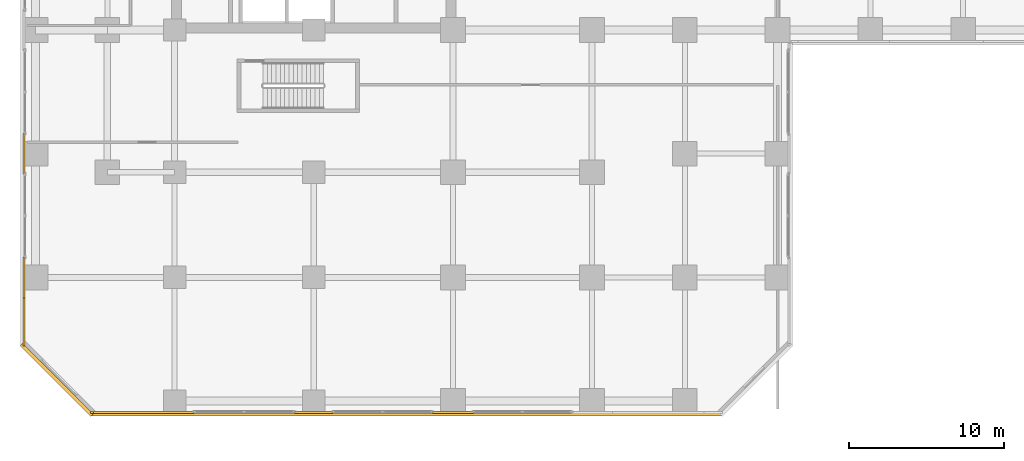
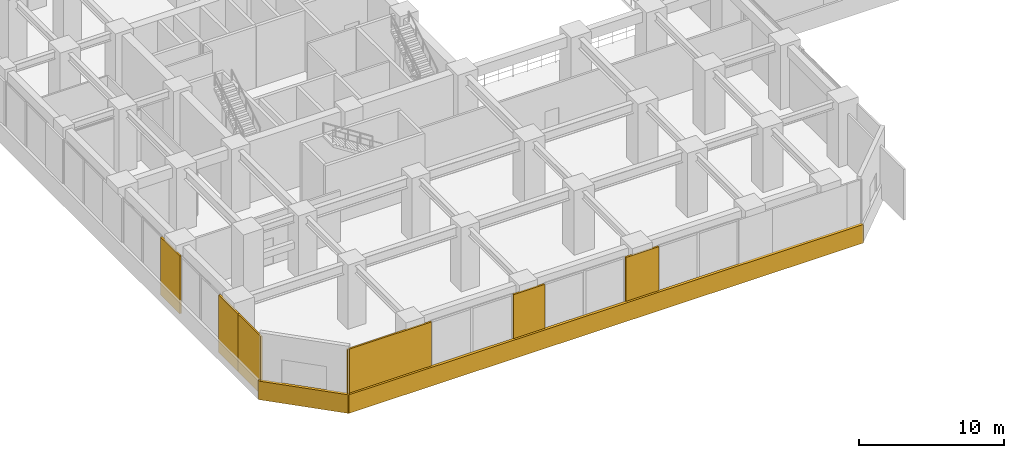
# One storey, part 27 of 33: 9 coverings.
"""IFC4 building model written with IfcOpenShell, lengths in metres."""

from ifc_helpers import new_model, si_unit, direction, frame, origin, origin_2d, place, context, subcontext, project, spatial, rectangle, extrude, source, transform, mapped, material, layer, layer_set, type_object, element, save


model = new_model("IFC4")

# Units and contexts
model_context = context("Model", 3, precision=1e-05, world=origin(), true_north=direction((0.0, 1.0)))
body_context = subcontext(model_context, "Body", "Model", "MODEL_VIEW")
ifc_project = project(units=[si_unit("LENGTHUNIT", "METRE"), si_unit("AREAUNIT", "SQUARE_METRE"), si_unit("VOLUMEUNIT", "CUBIC_METRE"), si_unit("PLANEANGLEUNIT", "RADIAN"), si_unit("MASSUNIT", "GRAM", prefix="KILO")], contexts=[model_context])

# Site, building, storey
site_placement = place(None, origin())
site = spatial("IfcSite", under=ifc_project, at=site_placement, CompositionType="ELEMENT")
building_placement = place(site_placement, origin())
building = spatial("IfcBuilding", under=site, at=building_placement, Name="Torre Montelarca", CompositionType="ELEMENT")
storey_placement = place(building_placement, frame((0.0, 0.0, 12.0)))
storey = spatial("IfcBuildingStorey", under=building, at=storey_placement, Name="L03", CompositionType="ELEMENT", Elevation=12.0)

# Coverings
ifc_material = material(Name="Bush-hammered warm white precast concrete C45/55", Category="concrete")
ifc_layer = layer(ifc_material, 0.139892578125, Name="Bush-hammered warm white precast concrete C45/55", Category="concrete")
ifc_layer_set = layer_set([ifc_layer], Name="Bush-hammered warm white precast concrete C45/55")
covering_type = type_object("IfcCoveringType", Name="COV-TRAY-CLAD", PredefinedType="CLADDING", material=ifc_layer_set)
shared_shape_1 = source(origin(), body_context, "Body", "SweptSolid", [
    extrude(rectangle(XDim=40.919921875, YDim=0.219970703125, at=origin_2d()), origin(), (0.0, 0.0, 1.0), 1.56005859375),
])
covering_1_placement = place(storey_placement, frame((24.0, -0.8701171875, -0.400146484375), z_axis=(0.0, 0.0, 1.0), x_axis=(1.0, 0.0, 0.0)))
element("IfcCovering", 1, at=covering_1_placement, inside=storey, type_object=covering_type, Name="L03 Architectural White Spandrel Tray Band PODBOT-01", PredefinedType="CLADDING", context=body_context, shape_type="MappedRepresentation", body=[
    mapped(shared_shape_1, transform((0.0, 0.0, 0.0), scale=1.0)),
])
shared_shape_2 = source(origin(), body_context, "Body", "SweptSolid", [
    extrude(rectangle(XDim=6.48388671875, YDim=0.219970703125, at=origin_2d()), origin(), (0.0, 0.0, 1.0), 1.56005859375),
])
covering_2_placement = place(storey_placement, frame((1.37109375, 1.37109375, -0.400146484375), z_axis=(0.0, 0.0, 1.0), x_axis=(0.707106781187, -0.707106781187, 0.0)))
element("IfcCovering", 2, at=covering_2_placement, inside=storey, type_object=covering_type, Name="L03 Architectural White Spandrel Tray Band PODBOT-11", PredefinedType="CLADDING", context=body_context, shape_type="MappedRepresentation", body=[
    mapped(shared_shape_2, transform((0.0, 0.0, 0.0), scale=1.0)),
])
shared_shape_3 = source(origin(), body_context, "Body", "SweptSolid", [
    extrude(rectangle(XDim=0.179931640625, YDim=0.139892578125, at=origin_2d()), origin(), (0.0, 0.0, 1.0), 4.85009765625),
])
covering_3_placement = place(storey_placement, frame((3.64990234375, -0.739990234375, 0.0), z_axis=(0.0, 0.0, 1.0), x_axis=(1.0, 0.0, 0.0)))
element("IfcCovering", 3, at=covering_3_placement, inside=storey, type_object=covering_type, Name="L03 Architectural Column Pier Cladding E01-1", PredefinedType="CLADDING", context=body_context, shape_type="MappedRepresentation", body=[
    mapped(shared_shape_3, transform((0.0, 0.0, 0.0), scale=1.0)),
])
shared_shape_4 = source(origin(), body_context, "Body", "SweptSolid", [
    extrude(rectangle(XDim=6.5849609375, YDim=0.139892578125, at=origin_2d()), origin(), (0.0, 0.0, 1.0), 4.85009765625),
])
covering_4_placement = place(storey_placement, frame((6.952392578125, -0.739990234375, 0.0), z_axis=(0.0, 0.0, 1.0), x_axis=(1.0, 0.0, 0.0)))
element("IfcCovering", 4, at=covering_4_placement, inside=storey, type_object=covering_type, Name="L03 Architectural Column Pier Cladding E01-2", PredefinedType="CLADDING", context=body_context, shape_type="MappedRepresentation", body=[
    mapped(shared_shape_4, transform((0.0, 0.0, 0.0), scale=1.0)),
])
shared_shape_5 = source(origin(), body_context, "Body", "SweptSolid", [
    extrude(rectangle(XDim=2.489990234375, YDim=0.139892578125, at=origin_2d()), origin(), (0.0, 0.0, 1.0), 4.85009765625),
])
covering_5_placement = place(storey_placement, frame((18.0, -0.739990234375, 0.0), z_axis=(0.0, 0.0, 1.0), x_axis=(1.0, 0.0, 0.0)))
element("IfcCovering", 5, at=covering_5_placement, inside=storey, type_object=covering_type, Name="L03 Architectural Column Pier Cladding E01-3", PredefinedType="CLADDING", context=body_context, shape_type="MappedRepresentation", body=[
    mapped(shared_shape_5, transform((0.0, 0.0, 0.0), scale=1.0)),
])
shared_shape_6 = source(origin(), body_context, "Body", "SweptSolid", [
    extrude(rectangle(XDim=2.639892578125, YDim=0.139892578125, at=origin_2d()), origin(), (0.0, 0.0, 1.0), 4.85009765625),
])
for number, where, z_axis, x_axis, name in (
    (6, (27.0, -0.739990234375, 0.0), (0.0, 0.0, 1.0), (1.0, 0.0, 0.0), "L03 Architectural Column Pier Cladding E01-4"),
    (7, (-0.739990234375, 16.0, 0.0), (0.0, 0.0, 1.0), (0.0, -1.0, 0.0), "L03 Architectural Column Pier Cladding E10-6"),
    (8, (-0.739990234375, 8.0, 0.0), (0.0, 0.0, 1.0), (0.0, -1.0, 0.0), "L03 Architectural Column Pier Cladding E10-7"),
):
    element("IfcCovering", number, at=place(storey_placement, frame(where, z_axis=z_axis, x_axis=x_axis)), inside=storey, type_object=covering_type, Name=name, PredefinedType="CLADDING", context=body_context, shape_type="MappedRepresentation", body=[
        mapped(shared_shape_6, transform((0.0, 0.0, 0.0), scale=1.0)),
    ])
shared_shape_7 = source(origin(), body_context, "Body", "SweptSolid", [
    extrude(rectangle(XDim=3.199951171875, YDim=0.139892578125, at=origin_2d()), origin(), (0.0, 0.0, 1.0), 4.85009765625),
])
covering_6_placement = place(storey_placement, frame((-0.739990234375, 5.159912109375, 0.0), z_axis=(0.0, 0.0, 1.0), x_axis=(0.0, -1.0, 0.0)))
element("IfcCovering", 9, at=covering_6_placement, inside=storey, type_object=covering_type, Name="L03 Architectural Column Pier Cladding E10-8", PredefinedType="CLADDING", context=body_context, shape_type="MappedRepresentation", body=[
    mapped(shared_shape_7, transform((0.0, 0.0, 0.0), scale=1.0)),
])

save(model, "model.ifc")
